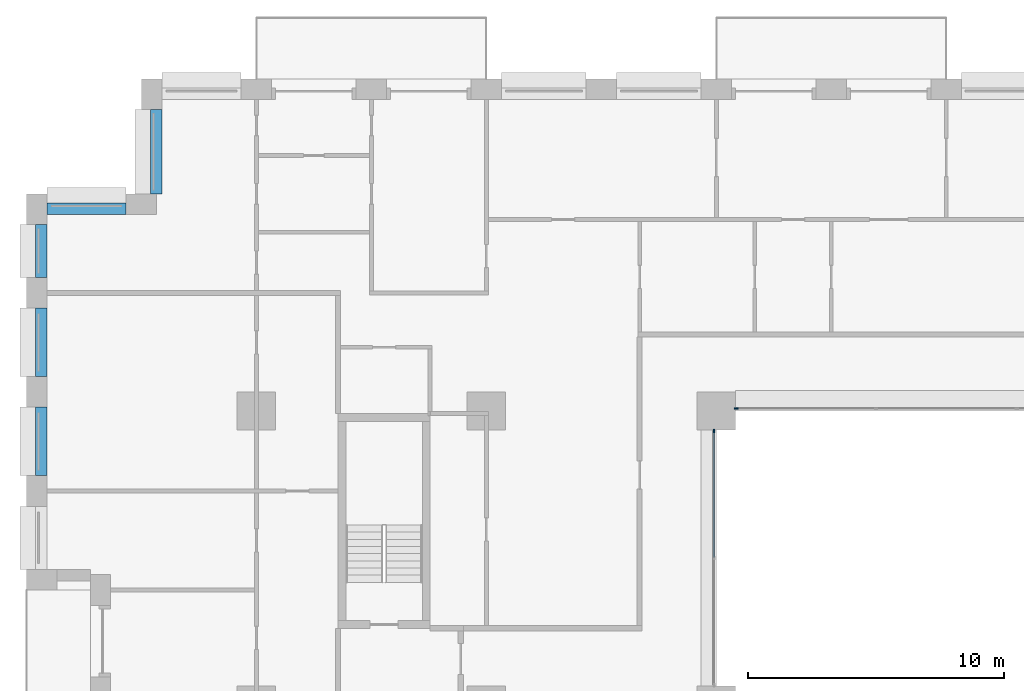
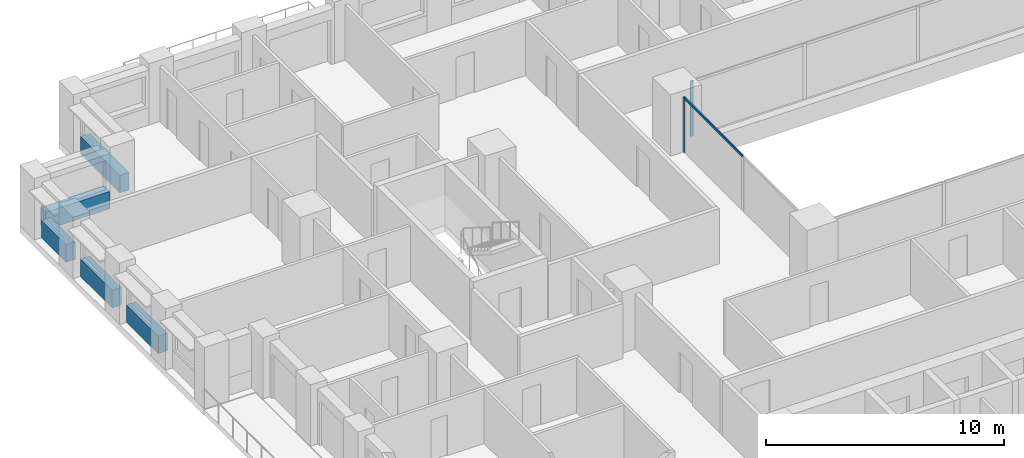
# One storey, part 5 of 20: 5 beams, 3 members, 2 elements without a shape of their own.
"""IFC4 building model written with IfcOpenShell, lengths in metres."""

from ifc_helpers import new_model, si_unit, direction, frame, origin, origin_2d, place, context, subcontext, project, spatial, rectangle, extrude, material, layer, layer_set, material_profile, profile_set, type_object, element, aggregate, save


model = new_model("IFC4")

# Units and contexts
model_context = context("Model", 3, precision=1e-05, world=origin(), true_north=direction((0.0, 1.0)))
body_context = subcontext(model_context, "Body", "Model", "MODEL_VIEW")
ifc_project = project(units=[si_unit("LENGTHUNIT", "METRE"), si_unit("AREAUNIT", "SQUARE_METRE"), si_unit("VOLUMEUNIT", "CUBIC_METRE"), si_unit("PLANEANGLEUNIT", "RADIAN"), si_unit("MASSUNIT", "GRAM", prefix="KILO")], contexts=[model_context])

# Site, building, storey
site_placement = place(None, origin())
site = spatial("IfcSite", under=ifc_project, at=site_placement, CompositionType="ELEMENT")
building_placement = place(site_placement, origin())
building = spatial("IfcBuilding", under=site, at=building_placement, Name="Brigalow Station Residences", CompositionType="ELEMENT")
storey_placement = place(building_placement, frame((0.0, 0.0, 66.75)))
storey = spatial("IfcBuildingStorey", under=building, at=storey_placement, Name="L19", CompositionType="ELEMENT", Elevation=66.75)

# Curtain wall, member
ifc_material_1 = material(Name="Aluminium", Category="aluminium")
ifc_layer = layer(ifc_material_1, 0.14990234375)
ifc_layer_set = layer_set([ifc_layer], Name="ATRIUM FIRE-RATED GLAZING CURTAIN WALL")
curtain_wall_type = type_object("IfcCurtainWallType", Name="ATRIUM FIRE-RATED GLAZING CURTAIN WALL", PredefinedType="NOTDEFINED", material=ifc_layer_set)
curtain_wall_1_placement = place(storey_placement, origin())
curtain_wall_1 = element("IfcCurtainWall", 1, at=curtain_wall_1_placement, inside=storey, type_object=curtain_wall_type, Name="L19/cw/atrium-N", PredefinedType="NOTDEFINED")
ifc_material_2 = material(Name="Aluminium", Category="aluminium")
ifc_material_profile_1 = material_profile(ifc_material_2, rectangle(XDim=0.06005859375, YDim=0.14990234375, at=origin_2d()), Name="ATRIUM FIRE-RATED GLAZING MULLION 60x150")
ifc_profile_set_1 = profile_set([ifc_material_profile_1], Name="Aluminium")
member_type_1 = type_object("IfcMemberType", Name="ATRIUM FIRE-RATED GLAZING MULLION 60x150", PredefinedType="MULLION", material=ifc_profile_set_1)
member_1_placement = place(storey_placement, frame((27.780029296875, 35.60009765625, 0.0), z_axis=(0.0, 0.0, 1.0), x_axis=(0.0, -1.0, 0.0)))
member_1 = element("IfcMember", 2, at=member_1_placement, type_object=member_type_1, Name="L19/cw/atrium-N/M03", PredefinedType="MULLION", context=body_context, shape_type="SweptSolid", body=[
    extrude(rectangle(XDim=0.06005859375, YDim=0.14990234375, at=origin_2d()), origin(), (0.0, 0.0, 1.0), 2.830078125),
])
aggregate(curtain_wall_1, [member_1])

# Curtain wall, members
curtain_wall_2_placement = place(storey_placement, origin())
curtain_wall_2 = element("IfcCurtainWall", 3, at=curtain_wall_2_placement, inside=storey, type_object=curtain_wall_type, Name="L19/cw/atrium-W", PredefinedType="NOTDEFINED")
member_2_placement = place(storey_placement, frame((26.89990234375, 34.719970703125, 0.0), z_axis=(0.0, 0.0, 1.0), x_axis=(1.0, 0.0, 0.0)))
member_2 = element("IfcMember", 4, at=member_2_placement, type_object=member_type_1, Name="L19/cw/atrium-W/M00", PredefinedType="MULLION", context=body_context, shape_type="SweptSolid", body=[
    extrude(rectangle(XDim=0.06005859375, YDim=0.14990234375, at=origin_2d()), origin(), (0.0, 0.0, 1.0), 2.830078125),
])
ifc_material_3 = material(Name="Aluminium", Category="aluminium")
ifc_material_profile_2 = material_profile(ifc_material_3, rectangle(XDim=0.06005859375, YDim=0.1201171875, at=origin_2d()), Name="ATRIUM FIRE-RATED GLAZING TRANSOM 60x120")
ifc_profile_set_2 = profile_set([ifc_material_profile_2], Name="Aluminium")
member_type_2 = type_object("IfcMemberType", Name="ATRIUM FIRE-RATED GLAZING TRANSOM 60x120", PredefinedType="USERDEFINED", material=ifc_profile_set_2)
member_3_placement = place(storey_placement, frame((26.89990234375, 34.68994140625, 2.800048828125), z_axis=(0.0, -1.0, 0.0), x_axis=(1.0, 0.0, 0.0)))
member_3 = element("IfcMember", 5, at=member_3_placement, type_object=member_type_2, Name="L19/cw/atrium-W/T00-00", ObjectType="TRANSOM", PredefinedType="USERDEFINED", context=body_context, shape_type="SweptSolid", body=[
    extrude(rectangle(XDim=0.06005859375, YDim=0.1201171875, at=origin_2d()), origin(), (0.0, 0.0, 1.0), 4.909912109375),
])
aggregate(curtain_wall_2, [member_2, member_3])

# Beams
ifc_material_4 = material(Name="Concrete C65", Category="concrete")
ifc_material_profile_3 = material_profile(ifc_material_4, rectangle(XDim=0.449951171875, YDim=0.89990234375, at=origin_2d()), Name="RC450x900")
ifc_profile_set_3 = profile_set([ifc_material_profile_3], Name="Concrete C65")
beam_type = type_object("IfcBeamType", Name="SPANDREL BEAM 450x900 C65", PredefinedType="SPANDREL", material=ifc_profile_set_3)
beam_1_placement = place(storey_placement, frame((5.074951171875, 47.300048828125, 0.449951171875), z_axis=(0.0, -1.0, 0.0), x_axis=(1.0, 0.0, 0.0)))
element("IfcBeam", 6, at=beam_1_placement, inside=storey, type_object=beam_type, Name="L19/spandrel/W-L19-40", PredefinedType="SPANDREL", context=body_context, shape_type="SweptSolid", body=[
    extrude(rectangle(XDim=0.449951171875, YDim=0.89990234375, at=origin_2d()), origin(), (0.0, 0.0, 1.0), 3.300048828125),
])
beam_2_placement = place(storey_placement, frame((3.89990234375, 43.425048828125, 0.449951171875), z_axis=(-1.0, 0.0, 0.0), x_axis=(0.0, -1.0, 0.0)))
element("IfcBeam", 7, at=beam_2_placement, inside=storey, type_object=beam_type, Name="L19/spandrel/W-L19-41", PredefinedType="SPANDREL", context=body_context, shape_type="SweptSolid", body=[
    extrude(rectangle(XDim=0.449951171875, YDim=0.89990234375, at=origin_2d()), origin(), (0.0, 0.0, 1.0), 3.099853515625),
])
beam_3_placement = place(storey_placement, frame((0.574951171875, 42.800048828125, 0.449951171875), z_axis=(0.0, -1.0, 0.0), x_axis=(1.0, 0.0, 0.0)))
element("IfcBeam", 8, at=beam_3_placement, inside=storey, type_object=beam_type, Name="L19/spandrel/W-L19-42", PredefinedType="SPANDREL", context=body_context, shape_type="SweptSolid", body=[
    extrude(rectangle(XDim=0.449951171875, YDim=0.89990234375, at=origin_2d()), origin(), (0.0, 0.0, 1.0), 2.074951171875),
])
for number, where, z_axis, x_axis, name in (
    (9, (0.574951171875, 39.52490234375, 0.449951171875), (0.0, -1.0, 0.0), (1.0, 0.0, 0.0), "L19/spandrel/W-L19-43"),
    (10, (0.574951171875, 35.64990234375, 0.449951171875), (0.0, -1.0, 0.0), (1.0, 0.0, 0.0), "L19/spandrel/W-L19-44"),
):
    element("IfcBeam", number, at=place(storey_placement, frame(where, z_axis=z_axis, x_axis=x_axis)), inside=storey, type_object=beam_type, Name=name, PredefinedType="SPANDREL", context=body_context, shape_type="SweptSolid", body=[
        extrude(rectangle(XDim=0.449951171875, YDim=0.89990234375, at=origin_2d()), origin(), (0.0, 0.0, 1.0), 2.6748046875),
    ])

save(model, "model.ifc")
